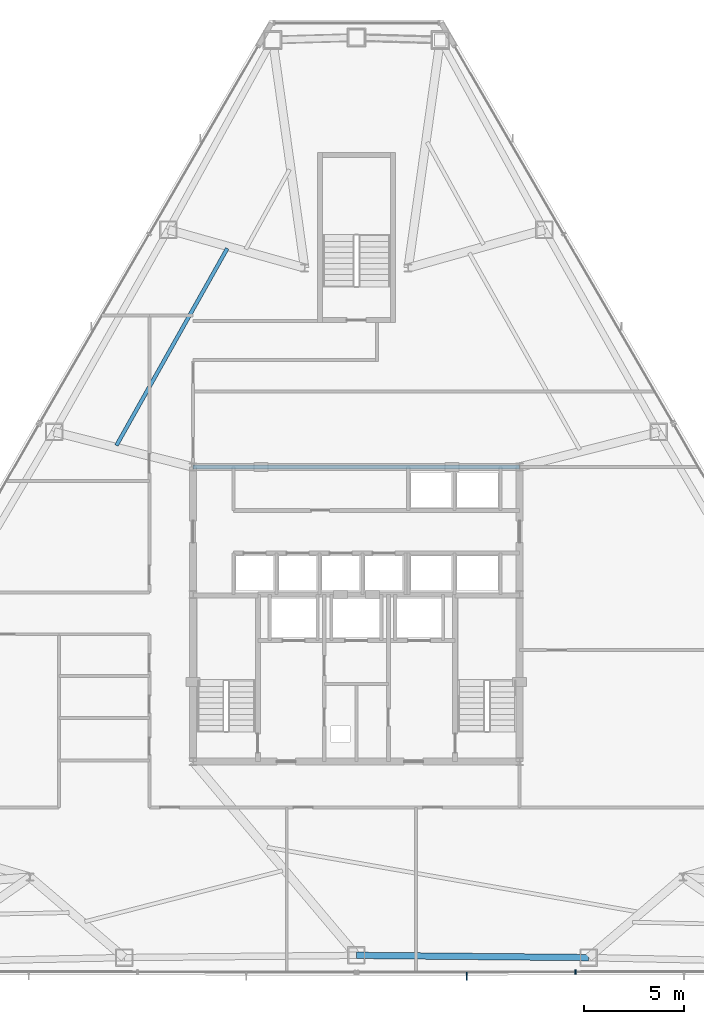
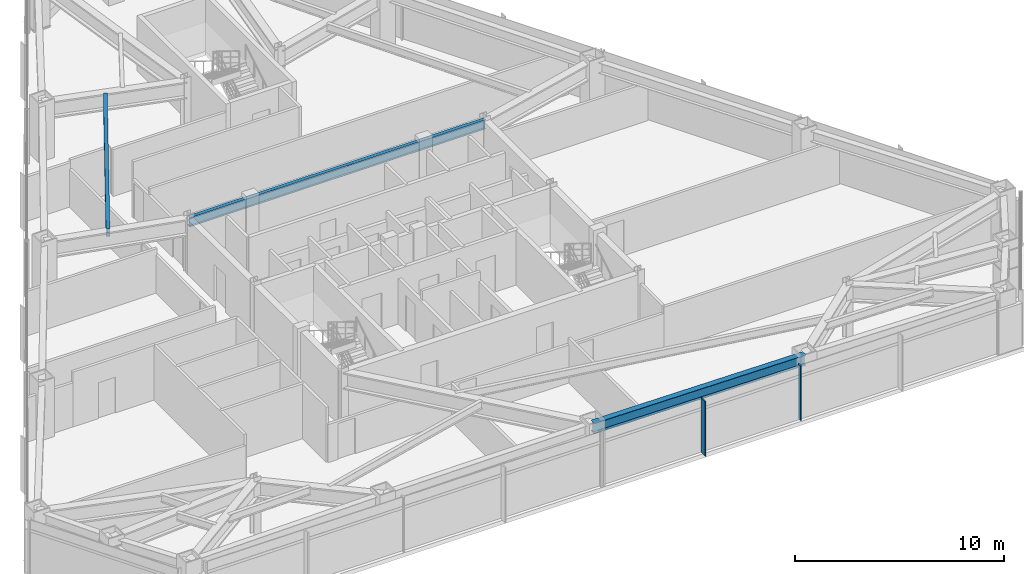
# One storey, part 5 of 13: 3 beams, 2 members, 1 element without a shape of its own.
"""IFC4 building model written with IfcOpenShell, lengths in metres."""

import ifcopenshell
import ifcopenshell.guid

model = None  # the IFC model being written
_history = None  # IfcOwnerHistory: only IFC2X3 demands one
_inside = {}  # id of a spatial element -> (the spatial element, [elements in it])
_under = {}  # id of a project, library or spatial element -> (it, [spatial elements below it])
_declared = {}  # id of a project -> (the project, [libraries it declares])
_typed = {}  # id of a type object -> (the type object, [elements of that type])
_made_of = {}  # id of a material, layer set ... -> (it, [elements and type objects made of it])


def new_model(schema):
    """Start an empty IFC model of exactly this schema.

    Asked for "IFC4X3", IfcOpenShell would pick the latest addendum, in which some entities
    have other attributes; the version numbers below select the first issue.
    IFC2X3 requires an IfcOwnerHistory on every rooted entity: one is made here for all.
    """
    global model, _history
    if schema == "IFC4X3":
        model = ifcopenshell.file(schema_version=(4, 3, 0, 0))
    else:
        model = ifcopenshell.file(schema=schema)
    _inside.clear()
    _under.clear()
    _declared.clear()
    _typed.clear()
    _made_of.clear()
    _history = None
    if model.schema == "IFC2X3":
        org = make("IfcOrganization", Name="unknown")
        user = make(
            "IfcPersonAndOrganization",
            ThePerson=make("IfcPerson", FamilyName="unknown"),
            TheOrganization=org,
        )
        app = make(
            "IfcApplication",
            ApplicationDeveloper=org,
            Version="unknown",
            ApplicationFullName="unknown",
            ApplicationIdentifier="unknown",
        )
        _history = make(
            "IfcOwnerHistory",
            OwningUser=user,
            OwningApplication=app,
            ChangeAction="ADDED",
            CreationDate=0,
        )
    return model


def make(cls, **values):
    """One entity of the class cls with the attributes given. An attribute that is None is left unset."""
    return model.create_entity(
        cls, **{name: value for name, value in values.items() if value is not None}
    )


def rooted(cls, **values):
    """An entity with a GlobalId (a new one), such as an element, a storey or a relation."""
    return make(cls, GlobalId=ifcopenshell.guid.new(), OwnerHistory=_history, **values)


def si_unit(unit_type, name, prefix=None):
    """IfcSIUnit, for example si_unit("LENGTHUNIT", "METRE", prefix="MILLI")."""
    return make("IfcSIUnit", UnitType=unit_type, Prefix=prefix, Name=name)


def assignment(units):
    """IfcUnitAssignment: the units of a project."""
    return None if units is None else make("IfcUnitAssignment", Units=units)


def point(xyz):
    """IfcCartesianPoint."""
    return None if xyz is None else make("IfcCartesianPoint", Coordinates=xyz)


def direction(xyz):
    """IfcDirection."""
    return None if xyz is None else make("IfcDirection", DirectionRatios=xyz)


def frame(location, z_axis=None, x_axis=None):
    """IfcAxis2Placement3D, a coordinate frame: its origin and axes. An axis left out is left unset."""
    return make(
        "IfcAxis2Placement3D",
        Location=point(location),
        Axis=direction(z_axis),
        RefDirection=direction(x_axis),
    )


def frame_2d(location, x_axis=None):
    """IfcAxis2Placement2D, a coordinate frame in the plane: its origin and x axis."""
    return make(
        "IfcAxis2Placement2D", Location=point(location), RefDirection=direction(x_axis)
    )


def origin():
    """The frame at (0, 0, 0) with its axes left unset."""
    return frame((0.0, 0.0, 0.0))


def origin_2d():
    """The frame at (0, 0) in the plane with its x axis left unset."""
    return frame_2d((0.0, 0.0))


def place(relative_to, where):
    """IfcLocalPlacement: puts the frame where relative to a parent placement (None: the world)."""
    return make(
        "IfcLocalPlacement", PlacementRelTo=relative_to, RelativePlacement=where
    )


def context(
    kind, dimensions, precision=None, world=None, true_north=None, identifier=None
):
    """IfcGeometricRepresentationContext, for example the 3D "Model" context."""
    return make(
        "IfcGeometricRepresentationContext",
        ContextIdentifier=identifier,
        ContextType=kind,
        CoordinateSpaceDimension=dimensions,
        Precision=precision,
        WorldCoordinateSystem=world,
        TrueNorth=true_north,
    )


def subcontext(parent, identifier, kind, view, scale=None):
    """IfcGeometricRepresentationSubContext, for example "Body" below "Model"."""
    return make(
        "IfcGeometricRepresentationSubContext",
        ContextIdentifier=identifier,
        ContextType=kind,
        ParentContext=parent,
        TargetScale=scale,
        TargetView=view,
    )


def project(units=None, contexts=None):
    """IfcProject with its units and contexts."""
    return rooted(
        "IfcProject",
        Name="project",
        RepresentationContexts=contexts,
        UnitsInContext=assignment(units),
    )


def spatial(cls, under=None, at=None, **own):
    """A site, building, storey or space (cls), placed at a placement, below another one or the project."""
    s = rooted(cls, ObjectPlacement=at, **own)
    if under is not None:
        _under.setdefault(under.id(), (under, []))[1].append(s)
    return s


def profile(cls, at=None, kind="AREA", **sizes):
    """A parametric profile (cls). Its sizes go by their IFC names, for example OverallWidth=200.0."""
    return make(cls, ProfileType=kind, Position=at, **sizes)


def rectangle(**sizes):
    """IfcRectangleProfileDef."""
    return profile("IfcRectangleProfileDef", **sizes)


def i_section(**sizes):
    """IfcIShapeProfileDef."""
    return profile("IfcIShapeProfileDef", **sizes)


def extrude(swept, where, along, depth):
    """IfcExtrudedAreaSolid: the profile swept, set in the frame where, extruded along a direction by depth."""
    return make(
        "IfcExtrudedAreaSolid",
        SweptArea=swept,
        Position=where,
        ExtrudedDirection=direction(along),
        Depth=depth,
    )


def shape(context_of_items, identifier, shape_type, items):
    """IfcShapeRepresentation: the items that make up one representation, for example the "Body"."""
    return make(
        "IfcShapeRepresentation",
        ContextOfItems=context_of_items,
        RepresentationIdentifier=identifier,
        RepresentationType=shape_type,
        Items=items,
    )


def source(mapping_origin, context_of_items, identifier, shape_type, items):
    """IfcRepresentationMap: a shape defined once, which mapped items show again and again."""
    return make(
        "IfcRepresentationMap",
        MappingOrigin=mapping_origin,
        MappedRepresentation=shape(context_of_items, identifier, shape_type, items),
    )


def transform(
    local_origin,
    x_axis=None,
    y_axis=None,
    z_axis=None,
    scale=None,
    scale2=None,
    scale3=None,
    uniform=True,
):
    """IfcCartesianTransformationOperator3D, or its non-uniform kind. x_axis, y_axis, z_axis: its Axis1, 2, 3."""
    if uniform:
        return make(
            "IfcCartesianTransformationOperator3D",
            Axis1=direction(x_axis),
            Axis2=direction(y_axis),
            LocalOrigin=point(local_origin),
            Scale=scale,
            Axis3=direction(z_axis),
        )
    return make(
        "IfcCartesianTransformationOperator3DnonUniform",
        Axis1=direction(x_axis),
        Axis2=direction(y_axis),
        LocalOrigin=point(local_origin),
        Scale=scale,
        Axis3=direction(z_axis),
        Scale2=scale2,
        Scale3=scale3,
    )


def mapped(mapping_source, mapping_target):
    """IfcMappedItem: shows the shape of a source again, moved by a transform."""
    return make(
        "IfcMappedItem", MappingSource=mapping_source, MappingTarget=mapping_target
    )


def material(Name=None, Category=None):
    """IfcMaterial."""
    return make("IfcMaterial", Name=Name, Category=Category)


def layer(
    of_material, thickness, ventilated=None, Name=None, Category=None, Priority=None
):
    """IfcMaterialLayer: one layer of a wall or slab, of a material (None: an air gap)."""
    return make(
        "IfcMaterialLayer",
        Material=of_material,
        LayerThickness=thickness,
        IsVentilated=ventilated,
        Name=Name,
        Category=Category,
        Priority=Priority,
    )


def layer_set(layers, Name=None):
    """IfcMaterialLayerSet."""
    return make("IfcMaterialLayerSet", MaterialLayers=layers, LayerSetName=Name)


def material_profile(
    of_material, cross_section, Name=None, Category=None, Priority=None
):
    """IfcMaterialProfile: a cross section and its material."""
    return make(
        "IfcMaterialProfile",
        Name=Name,
        Material=of_material,
        Profile=cross_section,
        Priority=Priority,
        Category=Category,
    )


def profile_set(profiles, Name=None, composite=None):
    """IfcMaterialProfileSet."""
    return make(
        "IfcMaterialProfileSet",
        Name=Name,
        MaterialProfiles=profiles,
        CompositeProfile=composite,
    )


def made_of(thing, what):
    """Note that an element or type object is made of a material, layer set ...; save() writes the relation."""
    if what is not None:
        _made_of.setdefault(what.id(), (what, []))[1].append(thing)
    return thing


def type_object(cls, material=None, **own):
    """A type object (cls), such as IfcWallType, which elements share."""
    return made_of(rooted(cls, **own), material)


def type_shapes(of_type, sources):
    """Give a type object the sources (RepresentationMaps) that its elements show as mapped items."""
    of_type.RepresentationMaps = sources


def element(
    cls,
    number,
    at=None,
    inside=None,
    cuts=None,
    type_object=None,
    material=None,
    context=None,
    identifier="Body",
    shape_type=None,
    held_by="IfcProductDefinitionShape",
    body=None,
    shapes=None,
    **own,
):
    """One element of the class cls, such as IfcWall. Its Tag is "e" and its number.

    at: its placement. inside: the storey or other place that contains it. cuts: it is an
    opening in that element (IfcRelVoidsElement). A single representation is given by context,
    identifier, shape_type and body (its items); several are given by shapes. held_by: the class
    of the entity that holds the representations. save() writes the other relations.
    """
    e = rooted(cls, Tag="e%d" % number, ObjectPlacement=at, **own)
    if body is not None:
        shapes = [shape(context, identifier, shape_type, body)]
    if shapes is not None:
        e.Representation = make(held_by, Representations=shapes)
    if inside is not None:
        _inside.setdefault(inside.id(), (inside, []))[1].append(e)
    if cuts is not None:
        rooted(
            "IfcRelVoidsElement", RelatingBuildingElement=cuts, RelatedOpeningElement=e
        )
    if type_object is not None:
        _typed.setdefault(type_object.id(), (type_object, []))[1].append(e)
    return made_of(e, material)


def aggregate(whole, parts):
    """IfcRelAggregates: a whole, such as a stair, and the parts it consists of."""
    return rooted("IfcRelAggregates", RelatingObject=whole, RelatedObjects=parts)


def save(model, path):
    """Write the relations noted so far, then the file.

    IfcRelAggregates (storeys below a building ...), IfcRelContainedInSpatialStructure (elements
    in a storey), IfcRelDefinesByType, IfcRelAssociatesMaterial and IfcRelDeclares: one each for
    every whole, place, type object, material and project.
    """
    for whole, parts in _under.values():
        aggregate(whole, parts)
    for where, things in _inside.values():
        rooted(
            "IfcRelContainedInSpatialStructure",
            RelatedElements=things,
            RelatingStructure=where,
        )
    for kind, things in _typed.values():
        rooted("IfcRelDefinesByType", RelatedObjects=things, RelatingType=kind)
    for what, things in _made_of.values():
        rooted("IfcRelAssociatesMaterial", RelatedObjects=things, RelatingMaterial=what)
    for by, libraries in _declared.values():
        rooted("IfcRelDeclares", RelatingContext=by, RelatedDefinitions=libraries)
    model.write(path)


model = new_model("IFC4")

# Units and contexts
model_context = context("Model", 3, precision=1e-05, world=origin(), true_north=direction((0.0, 1.0)))
body_context = subcontext(model_context, "Body", "Model", "MODEL_VIEW")
ifc_project = project(units=[si_unit("LENGTHUNIT", "METRE"), si_unit("AREAUNIT", "SQUARE_METRE"), si_unit("VOLUMEUNIT", "CUBIC_METRE"), si_unit("PLANEANGLEUNIT", "RADIAN"), si_unit("MASSUNIT", "GRAM", prefix="KILO")], contexts=[model_context])

# Site, building, storey
site_placement = place(None, origin())
site = spatial("IfcSite", under=ifc_project, at=site_placement, CompositionType="ELEMENT")
building_placement = place(site_placement, origin())
building = spatial("IfcBuilding", under=site, at=building_placement, Name="Varakhsha Concourse Tower", CompositionType="ELEMENT")
storey_placement = place(building_placement, frame((0.0, 0.0, 126.35009765625)))
storey = spatial("IfcBuildingStorey", under=building, at=storey_placement, Name="L36", CompositionType="ELEMENT", Elevation=126.35009765625)

# Beams
ifc_material_1 = material(Name="Structural Steel ASTM A992 Grade 50", Category="steel")
ifc_material_profile_1 = material_profile(ifc_material_1, i_section(OverallWidth=0.19091796875, OverallDepth=0.45703125, WebThickness=0.009033203125, FlangeThickness=0.013916015625, at=origin_2d()), Name="W18X50")
ifc_profile_set_1 = profile_set([ifc_material_profile_1], Name="Structural Steel ASTM A992 Grade 50")
beam_type_1 = type_object("IfcBeamType", Name="BM-JST-W18X50", PredefinedType="JOIST", material=ifc_profile_set_1)
beam_1_placement = place(storey_placement, frame((33.512451171875, 42.1796875, 2.9814453125), z_axis=(-0.490329635901, -0.87153706069, 0.0), x_axis=(0.87153706069, -0.490329635901, 0.0)))
element("IfcBeam", 1, at=beam_1_placement, inside=storey, type_object=beam_type_1, Name="BM-TJST-L36-04", PredefinedType="JOIST", context=body_context, shape_type="SweptSolid", body=[
    extrude(i_section(OverallWidth=0.19091796875, OverallDepth=0.45703125, WebThickness=0.009033203125, FlangeThickness=0.013916015625, at=origin_2d()), origin(), (0.0, 0.0, 1.0), 11.354248046875),
])
ifc_material_profile_2 = material_profile(ifc_material_1, i_section(OverallWidth=0.2109375, OverallDepth=0.5390625, WebThickness=0.011962890625, FlangeThickness=0.01904296875, at=origin_2d()), Name="W21X73")
ifc_profile_set_2 = profile_set([ifc_material_profile_2], Name="Structural Steel ASTM A992 Grade 50")
beam_type_2 = type_object("IfcBeamType", Name="BM-RAD-W21X73", PredefinedType="BEAM", material=ifc_profile_set_2)
beam_2_placement = place(storey_placement, frame((31.800048828125, 31.199951171875, 2.9404296875), z_axis=(1.0, 0.0, 0.0), x_axis=(0.0, 1.0, 0.0)))
element("IfcBeam", 2, at=beam_2_placement, inside=storey, type_object=beam_type_2, Name="BM-TCORE-L36-CN", PredefinedType="BEAM", context=body_context, shape_type="SweptSolid", body=[
    extrude(i_section(OverallWidth=0.2109375, OverallDepth=0.5390625, WebThickness=0.011962890625, FlangeThickness=0.01904296875, at=origin_2d()), origin(), (0.0, 0.0, 1.0), 16.39990234375),
])
ifc_material_profile_3 = material_profile(ifc_material_1, i_section(OverallWidth=0.323974609375, OverallDepth=0.611083984375, WebThickness=0.012939453125, FlangeThickness=0.01904296875, at=origin_2d()), Name="W24X104")
ifc_profile_set_3 = profile_set([ifc_material_profile_3], Name="Structural Steel ASTM A992 Grade 50")
beam_type_3 = type_object("IfcBeamType", Name="BM-SPAN-W24X104", PredefinedType="SPANDREL", material=ifc_profile_set_3)
beam_3_placement = place(storey_placement, frame((40.0, 6.67138671875, 2.904296875), z_axis=(0.999954043986, -0.009586965987, 0.0), x_axis=(0.009586965987, 0.999954043986, 0.0)))
element("IfcBeam", 3, at=beam_3_placement, inside=storey, type_object=beam_type_3, Name="BM-SPAN-L36-11", PredefinedType="SPANDREL", context=body_context, shape_type="SweptSolid", body=[
    extrude(i_section(OverallWidth=0.323974609375, OverallDepth=0.611083984375, WebThickness=0.012939453125, FlangeThickness=0.01904296875, at=origin_2d()), origin(), (0.0, 0.0, 1.0), 11.663330078125),
])

# Curtain wall, members
ifc_material_2 = material(Name="Anodised Bronze Architectural Aluminium AA 6063-T6", Category="aluminium")
ifc_layer = layer(ifc_material_2, 0.2099609375, Name="CW-SYS-04")
ifc_layer_set = layer_set([ifc_layer], Name="Anodised Bronze Architectural Aluminium AA 6063-T6")
curtain_wall_type = type_object("IfcCurtainWallType", Name="CW-SYS-04", PredefinedType="NOTDEFINED", material=ifc_layer_set)
curtain_wall_placement = place(storey_placement, origin())
curtain_wall = element("IfcCurtainWall", 4, at=curtain_wall_placement, inside=storey, type_object=curtain_wall_type, Name="L36 Crystal Curtain Wall F6", PredefinedType="NOTDEFINED")
ifc_material_profile_4 = material_profile(ifc_material_2, rectangle(XDim=0.074951171875, YDim=0.219970703125, at=origin_2d()), Name="CWM-220X75")
ifc_profile_set_4 = profile_set([ifc_material_profile_4], Name="Anodised Bronze Architectural Aluminium AA 6063-T6")
member_type_1 = type_object("IfcMemberType", Name="CWM-220X75", PredefinedType="MULLION", material=ifc_profile_set_4)
shared_shape_1 = source(origin(), body_context, "Body", "SweptSolid", [
    extrude(rectangle(XDim=0.074951171875, YDim=0.219970703125, at=origin_2d()), origin(), (0.0, 0.0, 1.0), 3.2099609375),
])
type_shapes(member_type_1, [shared_shape_1])
member_1_placement = place(storey_placement, frame((50.993896484375, 5.83837890625, 0.0), z_axis=(0.0, 0.0, 1.0), x_axis=(-0.999998476913, -0.001745328366, 0.0)))
member_1 = element("IfcMember", 5, at=member_1_placement, type_object=member_type_1, Name="CW-L36-F6 Mullion 01", PredefinedType="MULLION", context=body_context, shape_type="MappedRepresentation", body=[
    mapped(shared_shape_1, transform((0.0, 0.0, 0.0), scale=1.0)),
])
ifc_material_profile_5 = material_profile(ifc_material_2, rectangle(XDim=0.06005859375, YDim=0.3798828125, at=origin_2d()), Name="FIN-BRZ-380")
ifc_profile_set_5 = profile_set([ifc_material_profile_5], Name="Anodised Bronze Architectural Aluminium AA 6063-T6")
member_type_2 = type_object("IfcMemberType", Name="FIN-BRZ-380", PredefinedType="USERDEFINED", material=ifc_profile_set_5)
shared_shape_2 = source(origin(), body_context, "Body", "SweptSolid", [
    extrude(rectangle(XDim=0.06005859375, YDim=0.3798828125, at=origin_2d()), origin(), (0.0, 0.0, 1.0), 3.2099609375),
])
type_shapes(member_type_2, [shared_shape_2])
member_2_placement = place(storey_placement, frame((45.537109375, 5.623779296875, 0.0), z_axis=(0.0, 0.0, 1.0), x_axis=(1.0, 0.0, 0.0)))
member_2 = element("IfcMember", 6, at=member_2_placement, type_object=member_type_2, Name="L36 Anodised Bronze Solar Fin F6-2", ObjectType="SOLAR FIN", PredefinedType="USERDEFINED", context=body_context, shape_type="MappedRepresentation", body=[
    mapped(shared_shape_2, transform((0.0, 0.0, 0.0), scale=1.0)),
])
aggregate(curtain_wall, [member_1, member_2])

save(model, "model.ifc")
